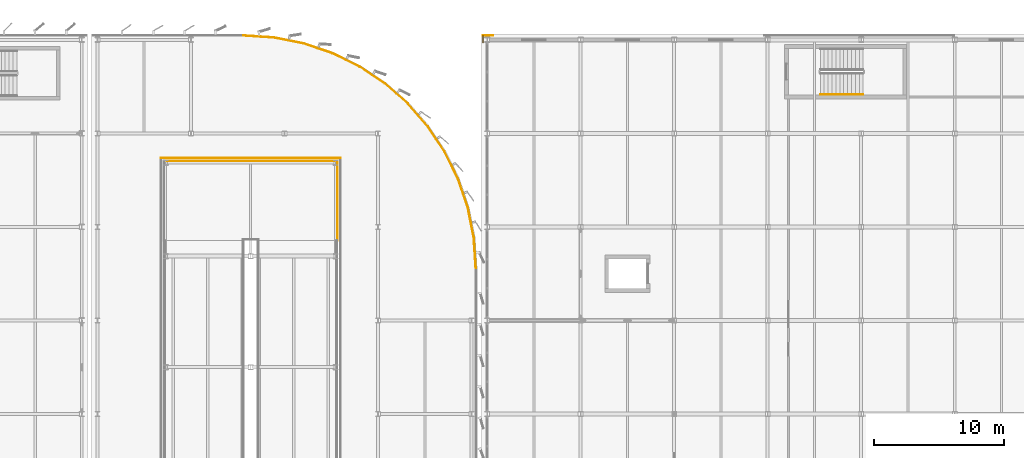
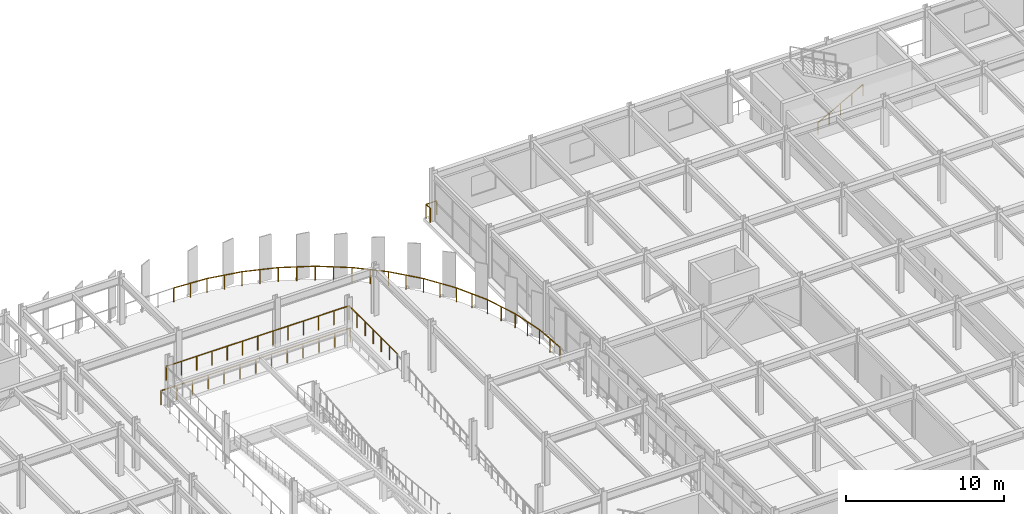
# One storey, part 91 of 93: 18 railings.
"""IFC4 building model written with IfcOpenShell, lengths in metres."""

from ifc_helpers import new_model, si_unit, direction, frame, origin, origin_2d, place, context, subcontext, project, spatial, circle, extrude, material, layer, layer_set, type_object, element, save


model = new_model("IFC4")

# Units and contexts
model_context = context("Model", 3, precision=1e-05, world=origin(), true_north=direction((0.0, 1.0)))
body_context = subcontext(model_context, "Body", "Model", "MODEL_VIEW")
ifc_project = project(units=[si_unit("LENGTHUNIT", "METRE"), si_unit("AREAUNIT", "SQUARE_METRE"), si_unit("VOLUMEUNIT", "CUBIC_METRE"), si_unit("PLANEANGLEUNIT", "RADIAN"), si_unit("MASSUNIT", "GRAM", prefix="KILO")], contexts=[model_context])

# Site, building, storey
site_placement = place(None, origin())
site = spatial("IfcSite", under=ifc_project, at=site_placement, CompositionType="ELEMENT")
building_placement = place(site_placement, origin())
building = spatial("IfcBuilding", under=site, at=building_placement, Name="Vaelcorin Mobility Hub", CompositionType="ELEMENT")
storey_placement = place(building_placement, frame((0.0, 0.0, 5.39990234375)))
storey = spatial("IfcBuildingStorey", under=building, at=storey_placement, Name="L01", CompositionType="ELEMENT", Elevation=5.39990234375)

# Railings
ifc_material_1 = material(Name="Galvanised structural steel ASTM A36", Category="steel")
ifc_layer_1 = layer(ifc_material_1, 0.070068359375)
ifc_layer_set_1 = layer_set([ifc_layer_1], Name="Galvanised structural steel ASTM A36")
railing_type_1 = type_object("IfcRailingType", Name="RL-GUARD-1100", PredefinedType="BALUSTRADE", material=ifc_layer_set_1)
railing_1_placement = place(storey_placement, frame((128.47998046875, 110.919921875, 0.0)))
element("IfcRailing", 1, at=railing_1_placement, inside=storey, type_object=railing_type_1, Name="L01 Perimeter Guard GR-V2E-L01-WELL-02", PredefinedType="BALUSTRADE", context=body_context, shape_type="SweptSolid", body=[
    extrude(circle(Radius=0.02392578125, at=origin_2d()), frame((0.0, 0.0, 1.076171875), z_axis=(1.0, 0.0, 0.0), x_axis=(0.0, 1.0, 0.0)), (0.0, 0.0, 1.0), 13.840087890625),
    extrude(circle(Radius=0.02099609375, at=origin_2d()), origin(), (0.0, 0.0, 1.0), 1.052001953125),
    extrude(circle(Radius=0.02099609375, at=origin_2d()), frame((1.1533203125, 0.0, 0.0)), (0.0, 0.0, 1.0), 1.052001953125),
    extrude(circle(Radius=0.02099609375, at=origin_2d()), frame((2.306640625, 0.0, 0.0)), (0.0, 0.0, 1.0), 1.052001953125),
    extrude(circle(Radius=0.02099609375, at=origin_2d()), frame((3.4599609375, 0.0, 0.0)), (0.0, 0.0, 1.0), 1.052001953125),
    extrude(circle(Radius=0.02099609375, at=origin_2d()), frame((4.61328125, 0.0, 0.0)), (0.0, 0.0, 1.0), 1.052001953125),
    extrude(circle(Radius=0.02099609375, at=origin_2d()), frame((5.7666015625, 0.0, 0.0)), (0.0, 0.0, 1.0), 1.052001953125),
    extrude(circle(Radius=0.02099609375, at=origin_2d()), frame((6.919921875, 0.0, 0.0)), (0.0, 0.0, 1.0), 1.052001953125),
    extrude(circle(Radius=0.02099609375, at=origin_2d()), frame((8.073486328125, 0.0, 0.0)), (0.0, 0.0, 1.0), 1.052001953125),
    extrude(circle(Radius=0.02099609375, at=origin_2d()), frame((9.226806640625, 0.0, 0.0)), (0.0, 0.0, 1.0), 1.052001953125),
    extrude(circle(Radius=0.02099609375, at=origin_2d()), frame((10.380126953125, 0.0, 0.0)), (0.0, 0.0, 1.0), 1.052001953125),
    extrude(circle(Radius=0.02099609375, at=origin_2d()), frame((11.533447265625, 0.0, 0.0)), (0.0, 0.0, 1.0), 1.052001953125),
    extrude(circle(Radius=0.02099609375, at=origin_2d()), frame((12.686767578125, 0.0, 0.0)), (0.0, 0.0, 1.0), 1.052001953125),
    extrude(circle(Radius=0.02099609375, at=origin_2d()), frame((13.840087890625, 0.0, 0.0)), (0.0, 0.0, 1.0), 1.052001953125),
])
railing_2_placement = place(storey_placement, frame((128.72998046875, 110.669921875, 1.9501953125)))
element("IfcRailing", 2, at=railing_2_placement, inside=storey, type_object=railing_type_1, Name="L01 Perimeter Guard GR-V2E-L01-LND-02", PredefinedType="BALUSTRADE", context=body_context, shape_type="SweptSolid", body=[
    extrude(circle(Radius=0.02392578125, at=origin_2d()), frame((0.0, 0.0, 1.076171875), z_axis=(1.0, 0.0, 0.0), x_axis=(0.0, 1.0, 0.0)), (0.0, 0.0, 1.0), 13.340087890625),
    extrude(circle(Radius=0.02099609375, at=origin_2d()), origin(), (0.0, 0.0, 1.0), 1.052001953125),
    extrude(circle(Radius=0.02099609375, at=origin_2d()), frame((1.111572265625, 0.0, 0.0)), (0.0, 0.0, 1.0), 1.052001953125),
    extrude(circle(Radius=0.02099609375, at=origin_2d()), frame((2.223388671875, 0.0, 0.0)), (0.0, 0.0, 1.0), 1.052001953125),
    extrude(circle(Radius=0.02099609375, at=origin_2d()), frame((3.3349609375, 0.0, 0.0)), (0.0, 0.0, 1.0), 1.052001953125),
    extrude(circle(Radius=0.02099609375, at=origin_2d()), frame((4.44677734375, 0.0, 0.0)), (0.0, 0.0, 1.0), 1.052001953125),
    extrude(circle(Radius=0.02099609375, at=origin_2d()), frame((5.558349609375, 0.0, 0.0)), (0.0, 0.0, 1.0), 1.052001953125),
    extrude(circle(Radius=0.02099609375, at=origin_2d()), frame((6.669921875, 0.0, 0.0)), (0.0, 0.0, 1.0), 1.052001953125),
    extrude(circle(Radius=0.02099609375, at=origin_2d()), frame((7.78173828125, 0.0, 0.0)), (0.0, 0.0, 1.0), 1.052001953125),
    extrude(circle(Radius=0.02099609375, at=origin_2d()), frame((8.893310546875, 0.0, 0.0)), (0.0, 0.0, 1.0), 1.052001953125),
    extrude(circle(Radius=0.02099609375, at=origin_2d()), frame((10.005126953125, 0.0, 0.0)), (0.0, 0.0, 1.0), 1.052001953125),
    extrude(circle(Radius=0.02099609375, at=origin_2d()), frame((11.11669921875, 0.0, 0.0)), (0.0, 0.0, 1.0), 1.052001953125),
    extrude(circle(Radius=0.02099609375, at=origin_2d()), frame((12.228515625, 0.0, 0.0)), (0.0, 0.0, 1.0), 1.052001953125),
    extrude(circle(Radius=0.02099609375, at=origin_2d()), frame((13.340087890625, 0.0, 0.0)), (0.0, 0.0, 1.0), 1.052001953125),
])
railing_3_placement = place(storey_placement, frame((142.070068359375, 110.669921875, 1.9501953125)))
element("IfcRailing", 3, at=railing_3_placement, inside=storey, type_object=railing_type_1, Name="L01 Perimeter Guard GR-V2E-L01-LND-03", PredefinedType="BALUSTRADE", context=body_context, shape_type="SweptSolid", body=[
    extrude(circle(Radius=0.02392578125, at=origin_2d()), frame((0.0, 0.0, 1.076171875), z_axis=(0.0, -1.0, 0.0), x_axis=(1.0, 0.0, 0.0)), (0.0, 0.0, 1.0), 6.10986328125),
    extrude(circle(Radius=0.02099609375, at=origin_2d()), origin(), (0.0, 0.0, 1.0), 1.052001953125),
    extrude(circle(Radius=0.02099609375, at=origin_2d()), frame((0.0, -1.018310546875, 0.0)), (0.0, 0.0, 1.0), 1.052001953125),
    extrude(circle(Radius=0.02099609375, at=origin_2d()), frame((0.0, -2.03662109375, 0.0)), (0.0, 0.0, 1.0), 1.052001953125),
    extrude(circle(Radius=0.02099609375, at=origin_2d()), frame((0.0, -3.054931640625, 0.0)), (0.0, 0.0, 1.0), 1.052001953125),
    extrude(circle(Radius=0.02099609375, at=origin_2d()), frame((0.0, -4.0732421875, 0.0)), (0.0, 0.0, 1.0), 1.052001953125),
    extrude(circle(Radius=0.02099609375, at=origin_2d()), frame((0.0, -5.091552734375, 0.0)), (0.0, 0.0, 1.0), 1.052001953125),
    extrude(circle(Radius=0.02099609375, at=origin_2d()), frame((0.0, -6.10986328125, 0.0)), (0.0, 0.0, 1.0), 1.052001953125),
])
railing_4_placement = place(storey_placement, frame((134.85009765625, 120.330078125, 0.0)))
element("IfcRailing", 4, at=railing_4_placement, inside=storey, type_object=railing_type_1, Name="L01 Perimeter Guard GR-V2E-L01-02", PredefinedType="BALUSTRADE", context=body_context, shape_type="SweptSolid", body=[
    extrude(circle(Radius=0.02392578125, at=origin_2d()), frame((0.0, 0.0, 1.076171875), z_axis=(0.99785616691, -0.065445169106, 0.0), x_axis=(0.065445169106, 0.99785616691, 0.0)), (0.0, 0.0, 1.0), 2.339111328125),
    extrude(circle(Radius=0.02099609375, at=origin_2d()), origin(), (0.0, 0.0, 1.0), 1.052001953125),
    extrude(circle(Radius=0.02099609375, at=origin_2d()), frame((1.1669921875, -0.07666015625, 0.0)), (0.0, 0.0, 1.0), 1.052001953125),
    extrude(circle(Radius=0.02099609375, at=origin_2d()), frame((2.333984375, -0.153076171875, 0.0)), (0.0, 0.0, 1.0), 1.052001953125),
])
railing_5_placement = place(storey_placement, frame((137.18408203125, 120.177001953125, 0.0)))
element("IfcRailing", 5, at=railing_5_placement, inside=storey, type_object=railing_type_1, Name="L01 Perimeter Guard GR-V2E-L01-03", PredefinedType="BALUSTRADE", context=body_context, shape_type="SweptSolid", body=[
    extrude(circle(Radius=0.02392578125, at=origin_2d()), frame((0.0, 0.0, 1.076171875), z_axis=(0.980804861331, -0.194991856212, 0.0), x_axis=(0.194991856212, 0.980804861331, 0.0)), (0.0, 0.0, 1.0), 2.3388671875),
    extrude(circle(Radius=0.02099609375, at=origin_2d()), origin(), (0.0, 0.0, 1.0), 1.052001953125),
    extrude(circle(Radius=0.02099609375, at=origin_2d()), frame((1.14697265625, -0.22802734375, 0.0)), (0.0, 0.0, 1.0), 1.052001953125),
    extrude(circle(Radius=0.02099609375, at=origin_2d()), frame((2.2939453125, -0.4560546875, 0.0)), (0.0, 0.0, 1.0), 1.052001953125),
])
railing_6_placement = place(storey_placement, frame((139.47802734375, 119.720947265625, 0.0)))
element("IfcRailing", 6, at=railing_6_placement, inside=storey, type_object=railing_type_1, Name="L01 Perimeter Guard GR-V2E-L01-04", PredefinedType="BALUSTRADE", context=body_context, shape_type="SweptSolid", body=[
    extrude(circle(Radius=0.02392578125, at=origin_2d()), frame((0.0, 0.0, 1.076171875), z_axis=(0.946871989611, -0.321610689017, 0.0), x_axis=(0.321610689017, 0.946871989611, 0.0)), (0.0, 0.0, 1.0), 2.338134765625),
    extrude(circle(Radius=0.02099609375, at=origin_2d()), origin(), (0.0, 0.0, 1.0), 1.052001953125),
    extrude(circle(Radius=0.02099609375, at=origin_2d()), frame((1.10693359375, -0.3759765625, 0.0)), (0.0, 0.0, 1.0), 1.052001953125),
    extrude(circle(Radius=0.02099609375, at=origin_2d()), frame((2.2138671875, -0.751953125, 0.0)), (0.0, 0.0, 1.0), 1.052001953125),
])
railing_7_placement = place(storey_placement, frame((141.69189453125, 118.968994140625, 0.0)))
element("IfcRailing", 7, at=railing_7_placement, inside=storey, type_object=railing_type_1, Name="L01 Perimeter Guard GR-V2E-L01-05", PredefinedType="BALUSTRADE", context=body_context, shape_type="SweptSolid", body=[
    extrude(circle(Radius=0.02392578125, at=origin_2d()), frame((0.0, 0.0, 1.076171875), z_axis=(0.897000714078, -0.44202909287, 0.0), x_axis=(0.44202909287, 0.897000714078, 0.0)), (0.0, 0.0, 1.0), 2.339111328125),
    extrude(circle(Radius=0.02099609375, at=origin_2d()), origin(), (0.0, 0.0, 1.0), 1.052001953125),
    extrude(circle(Radius=0.02099609375, at=origin_2d()), frame((1.049072265625, -0.51708984375, 0.0)), (0.0, 0.0, 1.0), 1.052001953125),
    extrude(circle(Radius=0.02099609375, at=origin_2d()), frame((2.09814453125, -1.033935546875, 0.0)), (0.0, 0.0, 1.0), 1.052001953125),
])
railing_8_placement = place(storey_placement, frame((143.7900390625, 117.93505859375, 0.0)))
element("IfcRailing", 8, at=railing_8_placement, inside=storey, type_object=railing_type_1, Name="L01 Perimeter Guard GR-V2E-L01-06", PredefinedType="BALUSTRADE", context=body_context, shape_type="SweptSolid", body=[
    extrude(circle(Radius=0.02392578125, at=origin_2d()), frame((0.0, 0.0, 1.076171875), z_axis=(0.831391473095, -0.555687158809, 0.0), x_axis=(0.555687158809, 0.831391473095, 0.0)), (0.0, 0.0, 1.0), 2.339599609375),
    extrude(circle(Radius=0.02099609375, at=origin_2d()), origin(), (0.0, 0.0, 1.0), 1.052001953125),
    extrude(circle(Radius=0.02099609375, at=origin_2d()), frame((0.97265625, -0.64990234375, 0.0)), (0.0, 0.0, 1.0), 1.052001953125),
    extrude(circle(Radius=0.02099609375, at=origin_2d()), frame((1.945068359375, -1.300048828125, 0.0)), (0.0, 0.0, 1.0), 1.052001953125),
])
railing_9_placement = place(storey_placement, frame((145.735107421875, 116.635009765625, 0.0)))
element("IfcRailing", 9, at=railing_9_placement, inside=storey, type_object=railing_type_1, Name="L01 Perimeter Guard GR-V2E-L01-07", PredefinedType="BALUSTRADE", context=body_context, shape_type="SweptSolid", body=[
    extrude(circle(Radius=0.02392578125, at=origin_2d()), frame((0.0, 0.0, 1.076171875), z_axis=(0.751748215972, -0.659450240566, 0.0), x_axis=(0.659450240566, 0.751748215972, 0.0)), (0.0, 0.0, 1.0), 2.33837890625),
    extrude(circle(Radius=0.02099609375, at=origin_2d()), origin(), (0.0, 0.0, 1.0), 1.052001953125),
    extrude(circle(Radius=0.02099609375, at=origin_2d()), frame((0.87890625, -0.77099609375, 0.0)), (0.0, 0.0, 1.0), 1.052001953125),
    extrude(circle(Radius=0.02099609375, at=origin_2d()), frame((1.7578125, -1.5419921875, 0.0)), (0.0, 0.0, 1.0), 1.052001953125),
])
railing_10_placement = place(storey_placement, frame((147.492919921875, 115.093017578125, 0.0)))
element("IfcRailing", 10, at=railing_10_placement, inside=storey, type_object=railing_type_1, Name="L01 Perimeter Guard GR-V2E-L01-08", PredefinedType="BALUSTRADE", context=body_context, shape_type="SweptSolid", body=[
    extrude(circle(Radius=0.02392578125, at=origin_2d()), frame((0.0, 0.0, 1.076171875), z_axis=(0.659398483057, -0.751793615657, 0.0), x_axis=(0.751793615657, 0.659398483057, 0.0)), (0.0, 0.0, 1.0), 2.33837890625),
    extrude(circle(Radius=0.02099609375, at=origin_2d()), origin(), (0.0, 0.0, 1.0), 1.052001953125),
    extrude(circle(Radius=0.02099609375, at=origin_2d()), frame((0.77099609375, -0.87890625, 0.0)), (0.0, 0.0, 1.0), 1.052001953125),
    extrude(circle(Radius=0.02099609375, at=origin_2d()), frame((1.5419921875, -1.758056640625, 0.0)), (0.0, 0.0, 1.0), 1.052001953125),
])
railing_11_placement = place(storey_placement, frame((149.034912109375, 113.3349609375, 0.0)))
element("IfcRailing", 11, at=railing_11_placement, inside=storey, type_object=railing_type_1, Name="L01 Perimeter Guard GR-V2E-L01-09", PredefinedType="BALUSTRADE", context=body_context, shape_type="SweptSolid", body=[
    extrude(circle(Radius=0.02392578125, at=origin_2d()), frame((0.0, 0.0, 1.076171875), z_axis=(0.555687158809, -0.831391473095, 0.0), x_axis=(0.831391473095, 0.555687158809, 0.0)), (0.0, 0.0, 1.0), 2.339599609375),
    extrude(circle(Radius=0.02099609375, at=origin_2d()), origin(), (0.0, 0.0, 1.0), 1.052001953125),
    extrude(circle(Radius=0.02099609375, at=origin_2d()), frame((0.64990234375, -0.97265625, 0.0)), (0.0, 0.0, 1.0), 1.052001953125),
    extrude(circle(Radius=0.02099609375, at=origin_2d()), frame((1.300048828125, -1.945068359375, 0.0)), (0.0, 0.0, 1.0), 1.052001953125),
])
railing_12_placement = place(storey_placement, frame((150.3349609375, 111.389892578125, 0.0)))
element("IfcRailing", 12, at=railing_12_placement, inside=storey, type_object=railing_type_1, Name="L01 Perimeter Guard GR-V2E-L01-10", PredefinedType="BALUSTRADE", context=body_context, shape_type="SweptSolid", body=[
    extrude(circle(Radius=0.02392578125, at=origin_2d()), frame((0.0, 0.0, 1.076171875), z_axis=(0.442070481095, -0.896980317367, 0.0), x_axis=(0.896980317367, 0.442070481095, 0.0)), (0.0, 0.0, 1.0), 2.3388671875),
    extrude(circle(Radius=0.02099609375, at=origin_2d()), origin(), (0.0, 0.0, 1.0), 1.052001953125),
    extrude(circle(Radius=0.02099609375, at=origin_2d()), frame((0.51708984375, -1.048828125, 0.0)), (0.0, 0.0, 1.0), 1.052001953125),
    extrude(circle(Radius=0.02099609375, at=origin_2d()), frame((1.033935546875, -2.097900390625, 0.0)), (0.0, 0.0, 1.0), 1.052001953125),
])
railing_13_placement = place(storey_placement, frame((151.368896484375, 109.2919921875, 0.0)))
element("IfcRailing", 13, at=railing_13_placement, inside=storey, type_object=railing_type_1, Name="L01 Perimeter Guard GR-V2E-L01-11", PredefinedType="BALUSTRADE", context=body_context, shape_type="SweptSolid", body=[
    extrude(circle(Radius=0.02392578125, at=origin_2d()), frame((0.0, 0.0, 1.076171875), z_axis=(0.321672500653, -0.946850992672, 0.0), x_axis=(0.946850992672, 0.321672500653, 0.0)), (0.0, 0.0, 1.0), 2.33837890625),
    extrude(circle(Radius=0.02099609375, at=origin_2d()), origin(), (0.0, 0.0, 1.0), 1.052001953125),
    extrude(circle(Radius=0.02099609375, at=origin_2d()), frame((0.3759765625, -1.10693359375, 0.0)), (0.0, 0.0, 1.0), 1.052001953125),
    extrude(circle(Radius=0.02099609375, at=origin_2d()), frame((0.752197265625, -2.214111328125, 0.0)), (0.0, 0.0, 1.0), 1.052001953125),
])
railing_14_placement = place(storey_placement, frame((152.12109375, 107.077880859375, 0.0)))
element("IfcRailing", 14, at=railing_14_placement, inside=storey, type_object=railing_type_1, Name="L01 Perimeter Guard GR-V2E-L01-12", PredefinedType="BALUSTRADE", context=body_context, shape_type="SweptSolid", body=[
    extrude(circle(Radius=0.02392578125, at=origin_2d()), frame((0.0, 0.0, 1.076171875), z_axis=(0.194891436706, -0.980824820189, 0.0), x_axis=(0.980824820189, 0.194891436706, 0.0)), (0.0, 0.0, 1.0), 2.3388671875),
    extrude(circle(Radius=0.02099609375, at=origin_2d()), origin(), (0.0, 0.0, 1.0), 1.052001953125),
    extrude(circle(Radius=0.02099609375, at=origin_2d()), frame((0.22802734375, -1.14697265625, 0.0)), (0.0, 0.0, 1.0), 1.052001953125),
    extrude(circle(Radius=0.02099609375, at=origin_2d()), frame((0.455810546875, -2.2939453125, 0.0)), (0.0, 0.0, 1.0), 1.052001953125),
])
railing_15_placement = place(storey_placement, frame((152.576904296875, 104.783935546875, 0.0)))
element("IfcRailing", 15, at=railing_15_placement, inside=storey, type_object=railing_type_1, Name="L01 Perimeter Guard GR-V2E-L01-13", PredefinedType="BALUSTRADE", context=body_context, shape_type="SweptSolid", body=[
    extrude(circle(Radius=0.02392578125, at=origin_2d()), frame((0.0, 0.0, 1.076171875), z_axis=(0.065445169106, -0.99785616691, 0.0), x_axis=(0.99785616691, 0.065445169106, 0.0)), (0.0, 0.0, 1.0), 2.339111328125),
    extrude(circle(Radius=0.02099609375, at=origin_2d()), origin(), (0.0, 0.0, 1.0), 1.052001953125),
    extrude(circle(Radius=0.02099609375, at=origin_2d()), frame((0.07666015625, -1.1669921875, 0.0)), (0.0, 0.0, 1.0), 1.052001953125),
    extrude(circle(Radius=0.02099609375, at=origin_2d()), frame((0.153076171875, -2.333984375, 0.0)), (0.0, 0.0, 1.0), 1.052001953125),
])
railing_16_placement = place(storey_placement, frame((153.27001953125, 119.800048828125, 0.0)))
element("IfcRailing", 16, at=railing_16_placement, inside=storey, type_object=railing_type_1, Name="L01 Perimeter Guard GR-V5-L01-NW-CNR-01", PredefinedType="BALUSTRADE", context=body_context, shape_type="SweptSolid", body=[
    extrude(circle(Radius=0.02392578125, at=origin_2d()), frame((0.0, 0.0, 1.076171875), z_axis=(0.0, 1.0, 0.0), x_axis=(-1.0, 0.0, 0.0)), (0.0, 0.0, 1.0), 0.530029296875),
    extrude(circle(Radius=0.02099609375, at=origin_2d()), origin(), (0.0, 0.0, 1.0), 1.052001953125),
    extrude(circle(Radius=0.02099609375, at=origin_2d()), frame((0.0, 0.530029296875, 0.0)), (0.0, 0.0, 1.0), 1.052001953125),
])
railing_17_placement = place(storey_placement, frame((153.27001953125, 120.330078125, 0.0)))
element("IfcRailing", 17, at=railing_17_placement, inside=storey, type_object=railing_type_1, Name="L01 Perimeter Guard GR-V5-L01-NW-CNR-02", PredefinedType="BALUSTRADE", context=body_context, shape_type="SweptSolid", body=[
    extrude(circle(Radius=0.02392578125, at=origin_2d()), frame((0.0, 0.0, 1.076171875), z_axis=(1.0, 0.0, 0.0), x_axis=(0.0, 1.0, 0.0)), (0.0, 0.0, 1.0), 0.780029296875),
    extrude(circle(Radius=0.02099609375, at=origin_2d()), origin(), (0.0, 0.0, 1.0), 1.052001953125),
    extrude(circle(Radius=0.02099609375, at=origin_2d()), frame((0.780029296875, 0.0, 0.0)), (0.0, 0.0, 1.0), 1.052001953125),
])
ifc_material_2 = material(Name="Brushed stainless steel 316L", Category="steel")
ifc_layer_2 = layer(ifc_material_2, 0.048095703125)
ifc_layer_set_2 = layer_set([ifc_layer_2], Name="Brushed stainless steel 316L")
railing_type_2 = type_object("IfcRailingType", Name="RL-STAIR-HR", PredefinedType="HANDRAIL", material=ifc_layer_set_2)
railing_18_placement = place(storey_placement, frame((179.25, 115.800048828125, 0.16259765625)))
element("IfcRailing", 18, at=railing_18_placement, inside=storey, type_object=railing_type_2, Name="L01 ST6 stair handrail 1", PredefinedType="HANDRAIL", context=body_context, shape_type="SweptSolid", body=[
    extrude(circle(Radius=0.02392578125, at=origin_2d()), frame((0.0, 0.0, 0.8759765625), z_axis=(0.879284020681, 0.0, 0.476297817521), x_axis=(0.0, 1.0, 0.0)), (0.0, 0.0, 1.0), 3.753173828125),
    extrude(circle(Radius=0.02099609375, at=origin_2d()), origin(), (0.0, 0.0, 1.0), 0.851806640625),
    extrude(circle(Radius=0.02099609375, at=origin_2d()), frame((0.824951171875, 0.0, 0.44677734375)), (0.0, 0.0, 1.0), 0.851806640625),
    extrude(circle(Radius=0.02099609375, at=origin_2d()), frame((1.64990234375, 0.0, 0.893798828125)), (0.0, 0.0, 1.0), 0.851806640625),
    extrude(circle(Radius=0.02099609375, at=origin_2d()), frame((2.47509765625, 0.0, 1.3408203125)), (0.0, 0.0, 1.0), 0.851806640625),
    extrude(circle(Radius=0.02099609375, at=origin_2d()), frame((3.300048828125, 0.0, 1.78759765625)), (0.0, 0.0, 1.0), 0.851806640625),
])

save(model, "model.ifc")
